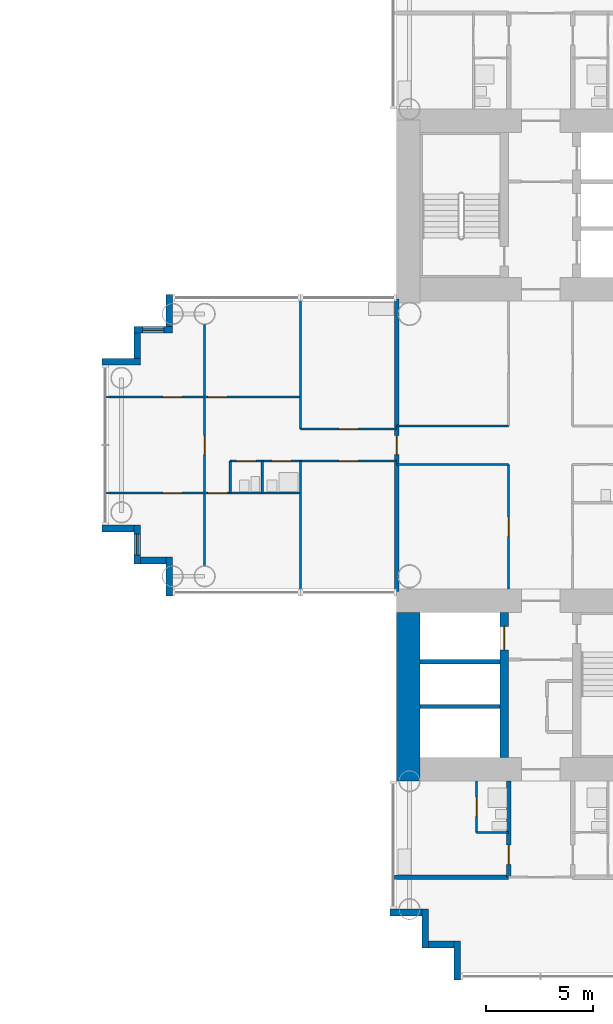
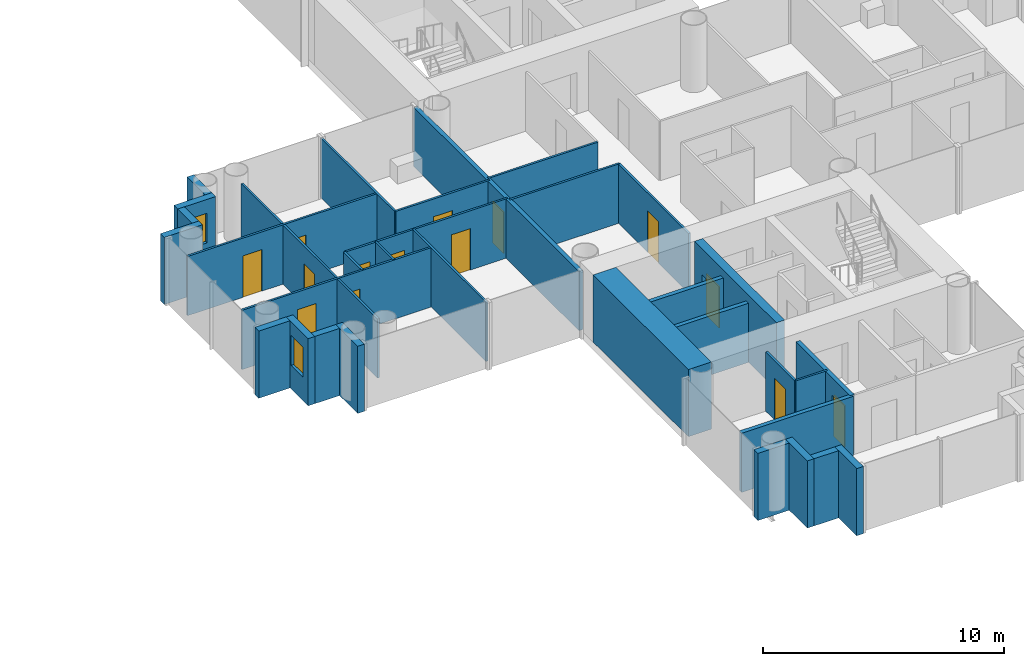
# One storey, part 12 of 21: 33 walls, 14 doors, 2 windows, 16 openings.
"""IFC4 building model written with IfcOpenShell, lengths in metres."""

from ifc_helpers import new_model, si_unit, direction, frame, frame_2d, origin, place, context, subcontext, project, spatial, rectangle, extrude, material, layer, layer_set, type_object, element, fill, save


model = new_model("IFC4")

# Units and contexts
model_context = context("Model", 3, precision=1e-05, world=origin(), true_north=direction((0.0, 1.0)))
body_context = subcontext(model_context, "Body", "Model", "MODEL_VIEW")
ifc_project = project(units=[si_unit("LENGTHUNIT", "METRE"), si_unit("AREAUNIT", "SQUARE_METRE"), si_unit("VOLUMEUNIT", "CUBIC_METRE"), si_unit("PLANEANGLEUNIT", "RADIAN"), si_unit("MASSUNIT", "GRAM", prefix="KILO")], contexts=[model_context])

# Site, building, storey
site_placement = place(None, origin())
site = spatial("IfcSite", under=ifc_project, at=site_placement, CompositionType="ELEMENT")
building_placement = place(site_placement, origin())
building = spatial("IfcBuilding", under=site, at=building_placement, Name="Ipe Terrace Towers", CompositionType="ELEMENT")
storey_placement = place(building_placement, frame((0.0, 0.0, 27.89990234375)))
storey = spatial("IfcBuildingStorey", under=building, at=storey_placement, Name="L06", CompositionType="ELEMENT", Elevation=27.89990234375)

# Wall
ifc_material_1 = material(Name="Concrete C40/50 with buff precast cladding", Category="concrete")
ifc_layer_1 = layer(ifc_material_1, 0.320068359375)
ifc_layer_set_1 = layer_set([ifc_layer_1], Name="BUFF CLADDING WALL 320")
wall_type_1 = type_object("IfcWallType", Name="BUFF CLADDING WALL 320", PredefinedType="STANDARD", material=ifc_layer_set_1)
wall_1_placement = place(storey_placement, frame((18.590087890625, 7.070068359375, -0.2998046875), z_axis=(0.0, 0.0, 1.0), x_axis=(0.0, -1.0, 0.0)))
element("IfcWall", 1, at=wall_1_placement, inside=storey, type_object=wall_type_1, Name="T2-W-L06-34a wall", PredefinedType="STANDARD", context=body_context, shape_type="SweptSolid", body=[
    extrude(rectangle(XDim=1.5, YDim=0.320068359375, at=frame_2d((0.75, 0.0))), origin(), (0.0, 0.0, 1.0), 3.39990234375),
])

# Wall, opening, window
wall_2_placement = place(storey_placement, frame((18.75, 5.409912109375, -0.2998046875), z_axis=(0.0, 0.0, 1.0), x_axis=(-1.0, 0.0, 0.0)))
wall_2 = element("IfcWall", 2, at=wall_2_placement, inside=storey, type_object=wall_type_1, Name="T2-W-L06-35a wall", PredefinedType="STANDARD", context=body_context, shape_type="SweptSolid", body=[
    extrude(rectangle(XDim=1.820068359375, YDim=0.320068359375, at=frame_2d((0.91015625, 0.0))), origin(), (0.0, 0.0, 1.0), 3.39990234375),
])
opening_1_placement = place(wall_2_placement, frame((0.409912109375, 0.0, 1.199951171875)))
opening_1 = element("IfcOpeningElement", 3, at=opening_1_placement, cuts=wall_2, Name="Opening T2-W-05-L06-02", PredefinedType="OPENING", context=body_context, shape_type="SweptSolid", body=[
    extrude(rectangle(XDim=1.0, YDim=1.5, at=frame_2d((0.5, 0.75))), frame((0.0, 0.169921875, 0.0), z_axis=(0.0, -1.0, 0.0), x_axis=(1.0, 0.0, 0.0)), (0.0, 0.0, 1.0), 0.340087890625),
])
ifc_material_2 = material(Name="Glass, clear laminated", Category="glass")
window_type = type_object("IfcWindowType", Name="DWELLING WINDOW 1000 x 1500", PartitioningType="SINGLE_PANEL", PredefinedType="WINDOW", material=ifc_material_2)
window_1_placement = place(opening_1_placement, origin())
window_1 = element("IfcWindow", 4, at=window_1_placement, inside=storey, type_object=window_type, Name="W-05 window", OverallHeight=1.5, OverallWidth=1.0, PartitioningType="SINGLE_PANEL", PredefinedType="WINDOW", context=body_context, shape_type="SweptSolid", body=[
    extrude(rectangle(XDim=1.0, YDim=1.5, at=frame_2d((0.5, 0.75))), frame((0.0, 0.030029296875, 0.0), z_axis=(0.0, -1.0, 0.0), x_axis=(1.0, 0.0, 0.0)), (0.0, 0.0, 1.0), 0.06005859375),
])
fill(opening_1, window_1)

# Walls
wall_3_placement = place(storey_placement, frame((17.090087890625, 5.25, -0.2998046875), z_axis=(0.0, 0.0, 1.0), x_axis=(0.0, -1.0, 0.0)))
element("IfcWall", 5, at=wall_3_placement, inside=storey, type_object=wall_type_1, Name="T2-W-L06-36a wall", PredefinedType="STANDARD", context=body_context, shape_type="SweptSolid", body=[
    extrude(rectangle(XDim=1.179931640625, YDim=0.320068359375, at=frame_2d((0.58984375, 0.0))), origin(), (0.0, 0.0, 1.0), 3.39990234375),
])
wall_4_placement = place(storey_placement, frame((17.25, 3.909912109375, -0.2998046875), z_axis=(0.0, 0.0, 1.0), x_axis=(-1.0, 0.0, 0.0)))
element("IfcWall", 6, at=wall_4_placement, inside=storey, type_object=wall_type_1, Name="T2-W-L06-37a wall", PredefinedType="STANDARD", context=body_context, shape_type="SweptSolid", body=[
    extrude(rectangle(XDim=1.820068359375, YDim=0.320068359375, at=frame_2d((0.91015625, 0.0))), origin(), (0.0, 0.0, 1.0), 3.39990234375),
])
wall_5_placement = place(storey_placement, frame((15.429931640625, -3.909912109375, -0.2998046875), z_axis=(0.0, 0.0, 1.0), x_axis=(1.0, 0.0, 0.0)))
element("IfcWall", 7, at=wall_5_placement, inside=storey, type_object=wall_type_1, Name="T2-W-L06-39a wall", PredefinedType="STANDARD", context=body_context, shape_type="SweptSolid", body=[
    extrude(rectangle(XDim=1.5, YDim=0.320068359375, at=frame_2d((0.75, 0.0))), origin(), (0.0, 0.0, 1.0), 3.39990234375),
])

# Wall, opening, window
wall_6_placement = place(storey_placement, frame((17.090087890625, -3.75, -0.2998046875), z_axis=(0.0, 0.0, 1.0), x_axis=(0.0, -1.0, 0.0)))
wall_6 = element("IfcWall", 8, at=wall_6_placement, inside=storey, type_object=wall_type_1, Name="T2-W-L06-40a wall", PredefinedType="STANDARD", context=body_context, shape_type="SweptSolid", body=[
    extrude(rectangle(XDim=1.820068359375, YDim=0.320068359375, at=frame_2d((0.91015625, 0.0))), origin(), (0.0, 0.0, 1.0), 3.39990234375),
])
opening_2_placement = place(wall_6_placement, frame((0.409912109375, 0.0, 1.199951171875)))
opening_2 = element("IfcOpeningElement", 9, at=opening_2_placement, cuts=wall_6, Name="Opening T2-W-05-L06-01", PredefinedType="OPENING", context=body_context, shape_type="SweptSolid", body=[
    extrude(rectangle(XDim=1.0, YDim=1.5, at=frame_2d((0.5, 0.75))), frame((0.0, 0.169921875, 0.0), z_axis=(0.0, -1.0, 0.0), x_axis=(1.0, 0.0, 0.0)), (0.0, 0.0, 1.0), 0.340087890625),
])
window_2_placement = place(opening_2_placement, origin())
window_2 = element("IfcWindow", 10, at=window_2_placement, inside=storey, type_object=window_type, Name="W-05 window", OverallHeight=1.5, OverallWidth=1.0, PartitioningType="SINGLE_PANEL", PredefinedType="WINDOW", context=body_context, shape_type="SweptSolid", body=[
    extrude(rectangle(XDim=1.0, YDim=1.5, at=frame_2d((0.5, 0.75))), frame((0.0, 0.030029296875, 0.0), z_axis=(0.0, -1.0, 0.0), x_axis=(1.0, 0.0, 0.0)), (0.0, 0.0, 1.0), 0.06005859375),
])
fill(opening_2, window_2)

# Walls
wall_7_placement = place(storey_placement, frame((17.25, -5.409912109375, -0.2998046875), z_axis=(0.0, 0.0, 1.0), x_axis=(1.0, 0.0, 0.0)))
element("IfcWall", 11, at=wall_7_placement, inside=storey, type_object=wall_type_1, Name="T2-W-L06-41a wall", PredefinedType="STANDARD", context=body_context, shape_type="SweptSolid", body=[
    extrude(rectangle(XDim=1.179931640625, YDim=0.320068359375, at=frame_2d((0.58984375, 0.0))), origin(), (0.0, 0.0, 1.0), 3.39990234375),
])
wall_8_placement = place(storey_placement, frame((18.590087890625, -5.25, -0.2998046875), z_axis=(0.0, 0.0, 1.0), x_axis=(0.0, -1.0, 0.0)))
element("IfcWall", 12, at=wall_8_placement, inside=storey, type_object=wall_type_1, Name="T2-W-L06-42a wall", PredefinedType="STANDARD", context=body_context, shape_type="SweptSolid", body=[
    extrude(rectangle(XDim=1.820068359375, YDim=0.320068359375, at=frame_2d((0.91015625, 0.0))), origin(), (0.0, 0.0, 1.0), 3.39990234375),
])
wall_9_placement = place(storey_placement, frame((28.929931640625, -21.909912109375, -0.2998046875), z_axis=(0.0, 0.0, 1.0), x_axis=(1.0, 0.0, 0.0)))
element("IfcWall", 13, at=wall_9_placement, inside=storey, type_object=wall_type_1, Name="T2-W-L06-47a wall", PredefinedType="STANDARD", context=body_context, shape_type="SweptSolid", body=[
    extrude(rectangle(XDim=1.5, YDim=0.320068359375, at=frame_2d((0.75, 0.0))), origin(), (0.0, 0.0, 1.0), 3.39990234375),
])
wall_10_placement = place(storey_placement, frame((30.590087890625, -21.75, -0.2998046875), z_axis=(0.0, 0.0, 1.0), x_axis=(0.0, -1.0, 0.0)))
element("IfcWall", 14, at=wall_10_placement, inside=storey, type_object=wall_type_1, Name="T2-W-L06-48a wall", PredefinedType="STANDARD", context=body_context, shape_type="SweptSolid", body=[
    extrude(rectangle(XDim=1.820068359375, YDim=0.320068359375, at=frame_2d((0.91015625, 0.0))), origin(), (0.0, 0.0, 1.0), 3.39990234375),
])
wall_11_placement = place(storey_placement, frame((30.75, -23.409912109375, -0.2998046875), z_axis=(0.0, 0.0, 1.0), x_axis=(1.0, 0.0, 0.0)))
element("IfcWall", 15, at=wall_11_placement, inside=storey, type_object=wall_type_1, Name="T2-W-L06-49a wall", PredefinedType="STANDARD", context=body_context, shape_type="SweptSolid", body=[
    extrude(rectangle(XDim=1.179931640625, YDim=0.320068359375, at=frame_2d((0.58984375, 0.0))), origin(), (0.0, 0.0, 1.0), 3.39990234375),
])
wall_12_placement = place(storey_placement, frame((32.090087890625, -23.25, -0.2998046875), z_axis=(0.0, 0.0, 1.0), x_axis=(0.0, -1.0, 0.0)))
element("IfcWall", 16, at=wall_12_placement, inside=storey, type_object=wall_type_1, Name="T2-W-L06-50a wall", PredefinedType="STANDARD", context=body_context, shape_type="SweptSolid", body=[
    extrude(rectangle(XDim=1.820068359375, YDim=0.320068359375, at=frame_2d((0.91015625, 0.0))), origin(), (0.0, 0.0, 1.0), 3.39990234375),
])
ifc_material_3 = material(Name="Gypsum board partition", Category="plasterboard")
ifc_layer_2 = layer(ifc_material_3, 0.10009765625)
ifc_layer_set_2 = layer_set([ifc_layer_2], Name="Gypsum board partition 100 mm")
wall_type_2 = type_object("IfcWallType", Name="Gypsum board partition 100 mm", PredefinedType="PARTITIONING", material=ifc_layer_set_2)
wall_13_placement = place(storey_placement, frame((34.5, -18.14990234375, 0.0), z_axis=(0.0, 0.0, 1.0), x_axis=(-1.0, 0.0, 0.0)))
element("IfcWall", 17, at=wall_13_placement, inside=storey, type_object=wall_type_2, Name="Gypsum board partition T2 L06 W05", PredefinedType="PARTITIONING", context=body_context, shape_type="SweptSolid", body=[
    extrude(rectangle(XDim=1.5, YDim=0.10009765625, at=frame_2d((0.75, 0.0))), origin(), (0.0, 0.0, 1.0), 3.0),
])

# Wall, openings, doors
wall_14_placement = place(storey_placement, frame((24.75, -2.25, 0.0), z_axis=(0.0, 0.0, 1.0), x_axis=(-1.0, 0.0, 0.0)))
wall_14 = element("IfcWall", 18, at=wall_14_placement, inside=storey, type_object=wall_type_2, Name="Gypsum board partition T2 L06 W08", PredefinedType="PARTITIONING", context=body_context, shape_type="SweptSolid", body=[
    extrude(rectangle(XDim=9.10009765625, YDim=0.10009765625, at=frame_2d((4.550048828125, 0.0))), origin(), (0.0, 0.0, 1.0), 3.0),
])
opening_3_placement = place(wall_14_placement, frame((3.449951171875, 0.0, 0.0)))
opening_3 = element("IfcOpeningElement", 19, at=opening_3_placement, cuts=wall_14, Name="Opening T2-Z1A-11", PredefinedType="OPENING", context=body_context, shape_type="SweptSolid", body=[
    extrude(rectangle(XDim=0.89990234375, YDim=2.10009765625, at=frame_2d((0.449951171875, 1.050048828125))), frame((0.0, 0.06005859375, 0.0), z_axis=(0.0, -1.0, 0.0), x_axis=(1.0, 0.0, 0.0)), (0.0, 0.0, 1.0), 0.1201171875),
])
opening_4_placement = place(wall_14_placement, frame((5.550048828125, 0.0, 0.0)))
opening_4 = element("IfcOpeningElement", 20, at=opening_4_placement, cuts=wall_14, Name="Opening T2-Z1A-14", PredefinedType="OPENING", context=body_context, shape_type="SweptSolid", body=[
    extrude(rectangle(XDim=0.89990234375, YDim=2.10009765625, at=frame_2d((0.449951171875, 1.050048828125))), frame((0.0, 0.06005859375, 0.0), z_axis=(0.0, -1.0, 0.0), x_axis=(1.0, 0.0, 0.0)), (0.0, 0.0, 1.0), 0.1201171875),
])
ifc_material_4 = material(Name="Timber door leaf", Category="wood")
door_type_1 = type_object("IfcDoorType", Name="Bedroom door 900 x 2100", OperationType="NOTDEFINED", PredefinedType="DOOR", material=ifc_material_4)
door_1_placement = place(opening_3_placement, origin())
door_1 = element("IfcDoor", 21, at=door_1_placement, inside=storey, type_object=door_type_1, Name="Bedroom door T2-Z1A-11", OperationType="SINGLE_SWING_RIGHT", OverallHeight=2.10009765625, OverallWidth=0.89990234375, PredefinedType="DOOR", context=body_context, shape_type="SweptSolid", body=[
    extrude(rectangle(XDim=0.89990234375, YDim=2.10009765625, at=frame_2d((0.449951171875, 1.050048828125))), frame((0.0, 0.02490234375, 0.0), z_axis=(0.0, -1.0, 0.0), x_axis=(1.0, 0.0, 0.0)), (0.0, 0.0, 1.0), 0.050048828125),
])
fill(opening_3, door_1)
door_2_placement = place(opening_4_placement, origin())
door_2 = element("IfcDoor", 22, at=door_2_placement, inside=storey, type_object=door_type_1, Name="Bedroom door T2-Z1A-14", OperationType="SINGLE_SWING_LEFT", OverallHeight=2.10009765625, OverallWidth=0.89990234375, PredefinedType="DOOR", context=body_context, shape_type="SweptSolid", body=[
    extrude(rectangle(XDim=0.89990234375, YDim=2.10009765625, at=frame_2d((0.449951171875, 1.050048828125))), frame((0.0, 0.02490234375, 0.0), z_axis=(0.0, -1.0, 0.0), x_axis=(1.0, 0.0, 0.0)), (0.0, 0.0, 1.0), 0.050048828125),
])
fill(opening_4, door_2)

# Wall
wall_15_placement = place(storey_placement, frame((34.5, -0.89990234375, 0.0), z_axis=(0.0, 0.0, 1.0), x_axis=(-1.0, 0.0, 0.0)))
element("IfcWall", 23, at=wall_15_placement, inside=storey, type_object=wall_type_2, Name="Gypsum board partition T2 L06 W12", PredefinedType="PARTITIONING", context=body_context, shape_type="SweptSolid", body=[
    extrude(rectangle(XDim=5.25, YDim=0.10009765625, at=frame_2d((2.625, 0.0))), origin(), (0.0, 0.0, 1.0), 3.0),
])

# Wall, openings, doors
wall_16_placement = place(storey_placement, frame((29.25, -0.75, 0.0), z_axis=(0.0, 0.0, 1.0), x_axis=(-1.0, 0.0, 0.0)))
wall_16 = element("IfcWall", 24, at=wall_16_placement, inside=storey, type_object=wall_type_2, Name="Gypsum board partition T2 L06 W13", PredefinedType="PARTITIONING", context=body_context, shape_type="SweptSolid", body=[
    extrude(rectangle(XDim=7.800048828125, YDim=0.10009765625, at=frame_2d((3.89990234375, 0.0))), origin(), (0.0, 0.0, 1.0), 3.0),
])
opening_5_placement = place(wall_16_placement, frame((1.800048828125, 0.0, 0.0)))
opening_5 = element("IfcOpeningElement", 25, at=opening_5_placement, cuts=wall_16, Name="Opening T2-Z1A-06", PredefinedType="OPENING", context=body_context, shape_type="SweptSolid", body=[
    extrude(rectangle(XDim=0.89990234375, YDim=2.10009765625, at=frame_2d((0.449951171875, 1.050048828125))), frame((0.0, 0.06005859375, 0.0), z_axis=(0.0, -1.0, 0.0), x_axis=(1.0, 0.0, 0.0)), (0.0, 0.0, 1.0), 0.1201171875),
])
opening_6_placement = place(wall_16_placement, frame((4.949951171875, 0.0, 0.0)))
opening_6 = element("IfcOpeningElement", 26, at=opening_6_placement, cuts=wall_16, Name="Opening T2-Z1A-09", PredefinedType="OPENING", context=body_context, shape_type="SweptSolid", body=[
    extrude(rectangle(XDim=0.89990234375, YDim=2.10009765625, at=frame_2d((0.449951171875, 1.050048828125))), frame((0.0, 0.06005859375, 0.0), z_axis=(0.0, -1.0, 0.0), x_axis=(1.0, 0.0, 0.0)), (0.0, 0.0, 1.0), 0.1201171875),
])
opening_7_placement = place(wall_16_placement, frame((6.60009765625, 0.0, 0.0)))
opening_7 = element("IfcOpeningElement", 27, at=opening_7_placement, cuts=wall_16, Name="Opening T2-Z1A-10", PredefinedType="OPENING", context=body_context, shape_type="SweptSolid", body=[
    extrude(rectangle(XDim=0.89990234375, YDim=2.10009765625, at=frame_2d((0.449951171875, 1.050048828125))), frame((0.0, 0.06005859375, 0.0), z_axis=(0.0, -1.0, 0.0), x_axis=(1.0, 0.0, 0.0)), (0.0, 0.0, 1.0), 0.1201171875),
])
ifc_material_5 = material(Name="Timber door leaf", Category="wood")
door_type_2 = type_object("IfcDoorType", Name="Bathroom door 900 x 2100", OperationType="NOTDEFINED", PredefinedType="DOOR", material=ifc_material_5)
door_3_placement = place(opening_6_placement, origin())
door_3 = element("IfcDoor", 28, at=door_3_placement, inside=storey, type_object=door_type_2, Name="Bathroom door T2-Z1A-09", OperationType="SINGLE_SWING_LEFT", OverallHeight=2.10009765625, OverallWidth=0.89990234375, PredefinedType="DOOR", context=body_context, shape_type="SweptSolid", body=[
    extrude(rectangle(XDim=0.89990234375, YDim=2.10009765625, at=frame_2d((0.449951171875, 1.050048828125))), frame((0.0, 0.02490234375, 0.0), z_axis=(0.0, -1.0, 0.0), x_axis=(1.0, 0.0, 0.0)), (0.0, 0.0, 1.0), 0.050048828125),
])
fill(opening_6, door_3)
door_4_placement = place(opening_7_placement, origin())
door_4 = element("IfcDoor", 29, at=door_4_placement, inside=storey, type_object=door_type_2, Name="Bathroom door T2-Z1A-10", OperationType="SINGLE_SWING_LEFT", OverallHeight=2.10009765625, OverallWidth=0.89990234375, PredefinedType="DOOR", context=body_context, shape_type="SweptSolid", body=[
    extrude(rectangle(XDim=0.89990234375, YDim=2.10009765625, at=frame_2d((0.449951171875, 1.050048828125))), frame((0.0, 0.02490234375, 0.0), z_axis=(0.0, -1.0, 0.0), x_axis=(1.0, 0.0, 0.0)), (0.0, 0.0, 1.0), 0.050048828125),
])
fill(opening_7, door_4)
ifc_material_6 = material(Name="Timber door leaf", Category="wood")
door_type_3 = type_object("IfcDoorType", Name="Lounge door 900 x 2100", OperationType="NOTDEFINED", PredefinedType="DOOR", material=ifc_material_6)
door_5_placement = place(opening_5_placement, origin())
door_5 = element("IfcDoor", 30, at=door_5_placement, inside=storey, type_object=door_type_3, Name="Lounge door T2-Z1A-06", OperationType="SINGLE_SWING_RIGHT", OverallHeight=2.10009765625, OverallWidth=0.89990234375, PredefinedType="DOOR", context=body_context, shape_type="SweptSolid", body=[
    extrude(rectangle(XDim=0.89990234375, YDim=2.10009765625, at=frame_2d((0.449951171875, 1.050048828125))), frame((0.0, 0.02490234375, 0.0), z_axis=(0.0, -1.0, 0.0), x_axis=(1.0, 0.0, 0.0)), (0.0, 0.0, 1.0), 0.050048828125),
])
fill(opening_5, door_5)

# Wall, opening, door
wall_17_placement = place(storey_placement, frame((29.25, 0.75, 0.0), z_axis=(0.0, 0.0, 1.0), x_axis=(-1.0, 0.0, 0.0)))
wall_17 = element("IfcWall", 31, at=wall_17_placement, inside=storey, type_object=wall_type_2, Name="Gypsum board partition T2 L06 W15", PredefinedType="PARTITIONING", context=body_context, shape_type="SweptSolid", body=[
    extrude(rectangle(XDim=4.5, YDim=0.10009765625, at=frame_2d((2.25, 0.0))), origin(), (0.0, 0.0, 1.0), 3.0),
])
opening_8_placement = place(wall_17_placement, frame((1.800048828125, 0.0, 0.0)))
opening_8 = element("IfcOpeningElement", 32, at=opening_8_placement, cuts=wall_17, Name="Opening T2-Z1A-07", PredefinedType="OPENING", context=body_context, shape_type="SweptSolid", body=[
    extrude(rectangle(XDim=0.89990234375, YDim=2.10009765625, at=frame_2d((0.449951171875, 1.050048828125))), frame((0.0, 0.06005859375, 0.0), z_axis=(0.0, -1.0, 0.0), x_axis=(1.0, 0.0, 0.0)), (0.0, 0.0, 1.0), 0.1201171875),
])
door_6_placement = place(opening_8_placement, origin())
door_6 = element("IfcDoor", 33, at=door_6_placement, inside=storey, type_object=door_type_3, Name="Lounge door T2-Z1A-07", OperationType="SINGLE_SWING_RIGHT", OverallHeight=2.10009765625, OverallWidth=0.89990234375, PredefinedType="DOOR", context=body_context, shape_type="SweptSolid", body=[
    extrude(rectangle(XDim=0.89990234375, YDim=2.10009765625, at=frame_2d((0.449951171875, 1.050048828125))), frame((0.0, 0.02490234375, 0.0), z_axis=(0.0, -1.0, 0.0), x_axis=(1.0, 0.0, 0.0)), (0.0, 0.0, 1.0), 0.050048828125),
])
fill(opening_8, door_6)

# Wall
wall_18_placement = place(storey_placement, frame((34.5, 0.89990234375, 0.0), z_axis=(0.0, 0.0, 1.0), x_axis=(-1.0, 0.0, 0.0)))
element("IfcWall", 34, at=wall_18_placement, inside=storey, type_object=wall_type_2, Name="Gypsum board partition T2 L06 W17", PredefinedType="PARTITIONING", context=body_context, shape_type="SweptSolid", body=[
    extrude(rectangle(XDim=5.25, YDim=0.10009765625, at=frame_2d((2.625, 0.0))), origin(), (0.0, 0.0, 1.0), 3.0),
])

# Wall, openings, doors
wall_19_placement = place(storey_placement, frame((24.75, 2.25, 0.0), z_axis=(0.0, 0.0, 1.0), x_axis=(-1.0, 0.0, 0.0)))
wall_19 = element("IfcWall", 35, at=wall_19_placement, inside=storey, type_object=wall_type_2, Name="Gypsum board partition T2 L06 W18", PredefinedType="PARTITIONING", context=body_context, shape_type="SweptSolid", body=[
    extrude(rectangle(XDim=9.10009765625, YDim=0.10009765625, at=frame_2d((4.550048828125, 0.0))), origin(), (0.0, 0.0, 1.0), 3.0),
])
opening_9_placement = place(wall_19_placement, frame((3.449951171875, 0.0, 0.0)))
opening_9 = element("IfcOpeningElement", 36, at=opening_9_placement, cuts=wall_19, Name="Opening T2-Z1A-12", PredefinedType="OPENING", context=body_context, shape_type="SweptSolid", body=[
    extrude(rectangle(XDim=0.89990234375, YDim=2.10009765625, at=frame_2d((0.449951171875, 1.050048828125))), frame((0.0, 0.06005859375, 0.0), z_axis=(0.0, -1.0, 0.0), x_axis=(1.0, 0.0, 0.0)), (0.0, 0.0, 1.0), 0.1201171875),
])
opening_10_placement = place(wall_19_placement, frame((5.550048828125, 0.0, 0.0)))
opening_10 = element("IfcOpeningElement", 37, at=opening_10_placement, cuts=wall_19, Name="Opening T2-Z1A-15", PredefinedType="OPENING", context=body_context, shape_type="SweptSolid", body=[
    extrude(rectangle(XDim=0.89990234375, YDim=2.10009765625, at=frame_2d((0.449951171875, 1.050048828125))), frame((0.0, 0.06005859375, 0.0), z_axis=(0.0, -1.0, 0.0), x_axis=(1.0, 0.0, 0.0)), (0.0, 0.0, 1.0), 0.1201171875),
])
door_7_placement = place(opening_9_placement, origin())
door_7 = element("IfcDoor", 38, at=door_7_placement, inside=storey, type_object=door_type_1, Name="Bedroom door T2-Z1A-12", OperationType="SINGLE_SWING_LEFT", OverallHeight=2.10009765625, OverallWidth=0.89990234375, PredefinedType="DOOR", context=body_context, shape_type="SweptSolid", body=[
    extrude(rectangle(XDim=0.89990234375, YDim=2.10009765625, at=frame_2d((0.449951171875, 1.050048828125))), frame((0.0, 0.02490234375, 0.0), z_axis=(0.0, -1.0, 0.0), x_axis=(1.0, 0.0, 0.0)), (0.0, 0.0, 1.0), 0.050048828125),
])
fill(opening_9, door_7)
door_8_placement = place(opening_10_placement, origin())
door_8 = element("IfcDoor", 39, at=door_8_placement, inside=storey, type_object=door_type_1, Name="Bedroom door T2-Z1A-15", OperationType="SINGLE_SWING_RIGHT", OverallHeight=2.10009765625, OverallWidth=0.89990234375, PredefinedType="DOOR", context=body_context, shape_type="SweptSolid", body=[
    extrude(rectangle(XDim=0.89990234375, YDim=2.10009765625, at=frame_2d((0.449951171875, 1.050048828125))), frame((0.0, 0.02490234375, 0.0), z_axis=(0.0, -1.0, 0.0), x_axis=(1.0, 0.0, 0.0)), (0.0, 0.0, 1.0), 0.050048828125),
])
fill(opening_10, door_8)

# Wall, opening, door
wall_20_placement = place(storey_placement, frame((34.5, -6.75, 0.0), z_axis=(0.0, 0.0, 1.0), x_axis=(0.0, 1.0, 0.0)))
wall_20 = element("IfcWall", 40, at=wall_20_placement, inside=storey, type_object=wall_type_2, Name="Gypsum board partition T2 L06 W39", PredefinedType="PARTITIONING", context=body_context, shape_type="SweptSolid", body=[
    extrude(rectangle(XDim=5.85009765625, YDim=0.10009765625, at=frame_2d((2.925048828125, 0.0))), origin(), (0.0, 0.0, 1.0), 3.0),
])
opening_11_placement = place(wall_20_placement, frame((2.47509765625, 0.0, 0.0)))
opening_11 = element("IfcOpeningElement", 41, at=opening_11_placement, cuts=wall_20, Name="Opening T2-Z1A-03", PredefinedType="OPENING", context=body_context, shape_type="SweptSolid", body=[
    extrude(rectangle(XDim=0.89990234375, YDim=2.10009765625, at=frame_2d((0.449951171875, 1.050048828125))), frame((0.0, 0.06005859375, 0.0), z_axis=(0.0, -1.0, 0.0), x_axis=(1.0, 0.0, 0.0)), (0.0, 0.0, 1.0), 0.1201171875),
])
door_9_placement = place(opening_11_placement, origin())
door_9 = element("IfcDoor", 42, at=door_9_placement, inside=storey, type_object=door_type_3, Name="Lounge door T2-Z1A-03", OperationType="SINGLE_SWING_RIGHT", OverallHeight=2.10009765625, OverallWidth=0.89990234375, PredefinedType="DOOR", context=body_context, shape_type="SweptSolid", body=[
    extrude(rectangle(XDim=0.89990234375, YDim=2.10009765625, at=frame_2d((0.449951171875, 1.050048828125))), frame((0.0, 0.02490234375, 0.0), z_axis=(0.0, -1.0, 0.0), x_axis=(1.0, 0.0, 0.0)), (0.0, 0.0, 1.0), 0.050048828125),
])
fill(opening_11, door_9)

wall_21_placement = place(storey_placement, frame((33.0, -18.14990234375, 0.0), z_axis=(0.0, 0.0, 1.0), x_axis=(0.0, 1.0, 0.0)))
wall_21 = element("IfcWall", 43, at=wall_21_placement, inside=storey, type_object=wall_type_2, Name="Gypsum board partition T2 L06 W43", PredefinedType="PARTITIONING", context=body_context, shape_type="SweptSolid", body=[
    extrude(rectangle(XDim=2.39990234375, YDim=0.10009765625, at=frame_2d((1.199951171875, 0.0))), origin(), (0.0, 0.0, 1.0), 3.0),
])
opening_12_placement = place(wall_21_placement, frame((0.75, 0.0, 0.0)))
opening_12 = element("IfcOpeningElement", 44, at=opening_12_placement, cuts=wall_21, Name="Opening T2-Z1A-33", PredefinedType="OPENING", context=body_context, shape_type="SweptSolid", body=[
    extrude(rectangle(XDim=0.89990234375, YDim=2.10009765625, at=frame_2d((0.449951171875, 1.050048828125))), frame((0.0, 0.06005859375, 0.0), z_axis=(0.0, -1.0, 0.0), x_axis=(1.0, 0.0, 0.0)), (0.0, 0.0, 1.0), 0.1201171875),
])
door_10_placement = place(opening_12_placement, origin())
door_10 = element("IfcDoor", 45, at=door_10_placement, inside=storey, type_object=door_type_2, Name="Bathroom door T2-Z1A-33", OperationType="SINGLE_SWING_RIGHT", OverallHeight=2.10009765625, OverallWidth=0.89990234375, PredefinedType="DOOR", context=body_context, shape_type="SweptSolid", body=[
    extrude(rectangle(XDim=0.89990234375, YDim=2.10009765625, at=frame_2d((0.449951171875, 1.050048828125))), frame((0.0, 0.02490234375, 0.0), z_axis=(0.0, -1.0, 0.0), x_axis=(1.0, 0.0, 0.0)), (0.0, 0.0, 1.0), 0.050048828125),
])
fill(opening_12, door_10)

# Walls
for number, where, z_axis, x_axis, name in (
    (46, (24.75, -6.85009765625, 0.0), (0.0, 0.0, 1.0), (0.0, 1.0, 0.0), "Gypsum board partition T2 L06 W46"),
    (47, (24.75, 0.75, 0.0), (0.0, 0.0, 1.0), (0.0, 1.0, 0.0), "Gypsum board partition T2 L06 W47"),
):
    element("IfcWall", number, at=place(storey_placement, frame(where, z_axis=z_axis, x_axis=x_axis)), inside=storey, type_object=wall_type_2, Name=name, PredefinedType="PARTITIONING", context=body_context, shape_type="SweptSolid", body=[
        extrude(rectangle(XDim=6.10009765625, YDim=0.10009765625, at=frame_2d((3.050048828125, 0.0))), origin(), (0.0, 0.0, 1.0), 3.0),
    ])
for number, where, z_axis, x_axis, name in (
    (48, (22.949951171875, -2.25, 0.0), (0.0, 0.0, 1.0), (0.0, 1.0, 0.0), "Gypsum board partition T2 L06 W48"),
    (49, (21.449951171875, -2.25, 0.0), (0.0, 0.0, 1.0), (0.0, 1.0, 0.0), "Gypsum board partition T2 L06 W49"),
):
    element("IfcWall", number, at=place(storey_placement, frame(where, z_axis=z_axis, x_axis=x_axis)), inside=storey, type_object=wall_type_2, Name=name, PredefinedType="PARTITIONING", context=body_context, shape_type="SweptSolid", body=[
        extrude(rectangle(XDim=1.5, YDim=0.10009765625, at=frame_2d((0.75, 0.0))), origin(), (0.0, 0.0, 1.0), 3.0),
    ])

# Wall, opening, door
wall_22_placement = place(storey_placement, frame((20.25, -5.64990234375, 0.0), z_axis=(0.0, 0.0, 1.0), x_axis=(0.0, 1.0, 0.0)))
wall_22 = element("IfcWall", 50, at=wall_22_placement, inside=storey, type_object=wall_type_2, Name="Gypsum board partition T2 L06 W50", PredefinedType="PARTITIONING", context=body_context, shape_type="SweptSolid", body=[
    extrude(rectangle(XDim=11.2998046875, YDim=0.10009765625, at=frame_2d((5.64990234375, 0.0))), origin(), (0.0, 0.0, 1.0), 3.0),
])
opening_13_placement = place(wall_22_placement, frame((5.199951171875, 0.0, 0.0)))
opening_13 = element("IfcOpeningElement", 51, at=opening_13_placement, cuts=wall_22, Name="Opening T2-Z1A-13", PredefinedType="OPENING", context=body_context, shape_type="SweptSolid", body=[
    extrude(rectangle(XDim=0.89990234375, YDim=2.10009765625, at=frame_2d((0.449951171875, 1.050048828125))), frame((0.0, 0.06005859375, 0.0), z_axis=(0.0, -1.0, 0.0), x_axis=(1.0, 0.0, 0.0)), (0.0, 0.0, 1.0), 0.1201171875),
])
door_11_placement = place(opening_13_placement, origin())
door_11 = element("IfcDoor", 52, at=door_11_placement, inside=storey, type_object=door_type_3, Name="Lounge door T2-Z1A-13", OperationType="SINGLE_SWING_LEFT", OverallHeight=2.10009765625, OverallWidth=0.89990234375, PredefinedType="DOOR", context=body_context, shape_type="SweptSolid", body=[
    extrude(rectangle(XDim=0.89990234375, YDim=2.10009765625, at=frame_2d((0.449951171875, 1.050048828125))), frame((0.0, 0.02490234375, 0.0), z_axis=(0.0, -1.0, 0.0), x_axis=(1.0, 0.0, 0.0)), (0.0, 0.0, 1.0), 0.050048828125),
])
fill(opening_13, door_11)

# Walls
ifc_material_7 = material(Name="Gypsum board party wall", Category="plasterboard")
ifc_layer_3 = layer(ifc_material_7, 0.199951171875)
ifc_layer_set_3 = layer_set([ifc_layer_3], Name="Gypsum board party wall 200 mm")
wall_type_3 = type_object("IfcWallType", Name="Gypsum board party wall 200 mm", PredefinedType="SOLIDWALL", material=ifc_layer_set_3)
for number, where, z_axis, x_axis, name in (
    (53, (30.35009765625, -10.14990234375, 0.0), (0.0, 0.0, 1.0), (1.0, 0.0, 0.0), "Gypsum board party wall T2 L06 t2c2-shaft-div1"),
    (54, (30.35009765625, -12.25, 0.0), (0.0, 0.0, 1.0), (1.0, 0.0, 0.0), "Gypsum board party wall T2 L06 t2c2-shaft-div2"),
):
    element("IfcWall", number, at=place(storey_placement, frame(where, z_axis=z_axis, x_axis=x_axis)), inside=storey, type_object=wall_type_3, Name=name, PredefinedType="SOLIDWALL", context=body_context, shape_type="SweptSolid", body=[
        extrude(rectangle(XDim=3.75, YDim=0.199951171875, at=frame_2d((1.875, 0.0))), origin(), (0.0, 0.0, 1.0), 3.0),
    ])
wall_23_placement = place(storey_placement, frame((34.5, -20.25, 0.0), z_axis=(0.0, 0.0, 1.0), x_axis=(-1.0, 0.0, 0.0)))
element("IfcWall", 55, at=wall_23_placement, inside=storey, type_object=wall_type_3, Name="Gypsum board party wall T2 L06 W03", PredefinedType="SOLIDWALL", context=body_context, shape_type="SweptSolid", body=[
    extrude(rectangle(XDim=5.35009765625, YDim=0.199951171875, at=frame_2d((2.675048828125, 0.0))), origin(), (0.0, 0.0, 1.0), 3.0),
])

# Wall, opening, door
wall_24_placement = place(storey_placement, frame((34.5, -20.25, 0.0), z_axis=(0.0, 0.0, 1.0), x_axis=(0.0, 1.0, 0.0)))
wall_24 = element("IfcWall", 56, at=wall_24_placement, inside=storey, type_object=wall_type_3, Name="Gypsum board party wall T2 L06 W41", PredefinedType="SOLIDWALL", context=body_context, shape_type="SweptSolid", body=[
    extrude(rectangle(XDim=4.5, YDim=0.199951171875, at=frame_2d((2.25, 0.0))), origin(), (0.0, 0.0, 1.0), 3.0),
])
opening_14_placement = place(wall_24_placement, frame((0.60009765625, 0.0, 0.0)))
opening_14 = element("IfcOpeningElement", 57, at=opening_14_placement, cuts=wall_24, Name="Opening T2-Z1A-32", PredefinedType="OPENING", context=body_context, shape_type="SweptSolid", body=[
    extrude(rectangle(XDim=0.89990234375, YDim=2.10009765625, at=frame_2d((0.449951171875, 1.050048828125))), frame((0.0, 0.10986328125, 0.0), z_axis=(0.0, -1.0, 0.0), x_axis=(1.0, 0.0, 0.0)), (0.0, 0.0, 1.0), 0.219970703125),
])
ifc_material_8 = material(Name="Fire-rated timber door leaf", Category="wood")
door_type_4 = type_object("IfcDoorType", Name="Flat entrance door 900 x 2100 FD30S", OperationType="NOTDEFINED", PredefinedType="DOOR", material=ifc_material_8)
door_12_placement = place(opening_14_placement, origin())
door_12 = element("IfcDoor", 58, at=door_12_placement, inside=storey, type_object=door_type_4, Name="Flat entrance door T2-Z1A-32", OperationType="SINGLE_SWING_RIGHT", OverallHeight=2.10009765625, OverallWidth=0.89990234375, PredefinedType="DOOR", context=body_context, shape_type="SweptSolid", body=[
    extrude(rectangle(XDim=0.89990234375, YDim=2.10009765625, at=frame_2d((0.449951171875, 1.050048828125))), frame((0.0, 0.02490234375, 0.0), z_axis=(0.0, -1.0, 0.0), x_axis=(1.0, 0.0, 0.0)), (0.0, 0.0, 1.0), 0.050048828125),
])
fill(opening_14, door_12)

wall_25_placement = place(storey_placement, frame((29.25, -6.85009765625, 0.0), z_axis=(0.0, 0.0, 1.0), x_axis=(0.0, 1.0, 0.0)))
wall_25 = element("IfcWall", 59, at=wall_25_placement, inside=storey, type_object=wall_type_3, Name="Gypsum board party wall T2 L06 W45", PredefinedType="SOLIDWALL", context=body_context, shape_type="SweptSolid", body=[
    extrude(rectangle(XDim=13.7001953125, YDim=0.199951171875, at=frame_2d((6.85009765625, 0.0))), origin(), (0.0, 0.0, 1.0), 3.0),
])
opening_15_placement = place(wall_25_placement, frame((6.39990234375, 0.0, 0.0)))
opening_15 = element("IfcOpeningElement", 60, at=opening_15_placement, cuts=wall_25, Name="Opening T2-Z1A-08", PredefinedType="OPENING", context=body_context, shape_type="SweptSolid", body=[
    extrude(rectangle(XDim=0.89990234375, YDim=2.10009765625, at=frame_2d((0.449951171875, 1.050048828125))), frame((0.0, 0.10986328125, 0.0), z_axis=(0.0, -1.0, 0.0), x_axis=(1.0, 0.0, 0.0)), (0.0, 0.0, 1.0), 0.219970703125),
])
door_13_placement = place(opening_15_placement, origin())
door_13 = element("IfcDoor", 61, at=door_13_placement, inside=storey, type_object=door_type_4, Name="Flat entrance door T2-Z1A-08", OperationType="SINGLE_SWING_LEFT", OverallHeight=2.10009765625, OverallWidth=0.89990234375, PredefinedType="DOOR", context=body_context, shape_type="SweptSolid", body=[
    extrude(rectangle(XDim=0.89990234375, YDim=2.10009765625, at=frame_2d((0.449951171875, 1.050048828125))), frame((0.0, 0.02490234375, 0.0), z_axis=(0.0, -1.0, 0.0), x_axis=(1.0, 0.0, 0.0)), (0.0, 0.0, 1.0), 0.050048828125),
])
fill(opening_15, door_13)

# Wall
ifc_material_9 = material(Name="Concrete C60/75", Category="concrete")
ifc_layer_4 = layer(ifc_material_9, 1.10009765625)
ifc_layer_set_4 = layer_set([ifc_layer_4], Name="RW1100 CORE WALL 1100 C60-75")
wall_type_4 = type_object("IfcWallType", Name="RW1100 CORE WALL 1100 C60-75", PredefinedType="SHEAR", material=ifc_layer_set_4)
wall_26_placement = place(storey_placement, frame((29.800048828125, -7.85009765625, 0.0), z_axis=(0.0, 0.0, 1.0), x_axis=(0.0, -1.0, 0.0)))
element("IfcWall", 62, at=wall_26_placement, inside=storey, type_object=wall_type_4, Name="Core wall T2-C2-Z1-W04", PredefinedType="SHEAR", context=body_context, shape_type="SweptSolid", body=[
    extrude(rectangle(XDim=7.89990234375, YDim=1.10009765625, at=frame_2d((3.949951171875, 0.0))), origin(), (0.0, 0.0, 1.0), 3.400146484375),
])

# Wall, opening, door
ifc_material_10 = material(Name="Concrete C60/75", Category="concrete")
ifc_layer_5 = layer(ifc_material_10, 0.39990234375)
ifc_layer_set_5 = layer_set([ifc_layer_5], Name="RW400 CORE SPINE WALL 400 C60-75")
wall_type_5 = type_object("IfcWallType", Name="RW400 CORE SPINE WALL 400 C60-75", PredefinedType="SHEAR", material=ifc_layer_set_5)
wall_27_placement = place(storey_placement, frame((34.300048828125, -14.64990234375, 0.0), z_axis=(0.0, 0.0, 1.0), x_axis=(0.0, 1.0, 0.0)))
wall_27 = element("IfcWall", 63, at=wall_27_placement, inside=storey, type_object=wall_type_5, Name="Core spine wall T2-C2-Z1-SW1", PredefinedType="SHEAR", context=body_context, shape_type="SweptSolid", body=[
    extrude(rectangle(XDim=6.7998046875, YDim=0.39990234375, at=frame_2d((3.39990234375, 0.0))), origin(), (0.0, 0.0, 1.0), 3.400146484375),
])
opening_16_placement = place(wall_27_placement, frame((5.050048828125, 0.0, 0.0)))
opening_16 = element("IfcOpeningElement", 64, at=opening_16_placement, cuts=wall_27, Name="Opening T2C2-LD1", PredefinedType="OPENING", context=body_context, shape_type="SweptSolid", body=[
    extrude(rectangle(XDim=1.10009765625, YDim=2.10009765625, at=frame_2d((0.550048828125, 1.050048828125))), frame((0.0, 0.2099609375, 0.0), z_axis=(0.0, -1.0, 0.0), x_axis=(1.0, 0.0, 0.0)), (0.0, 0.0, 1.0), 0.419921875),
])
ifc_material_11 = material(Name="Fire-rated timber door leaf", Category="wood")
door_type_5 = type_object("IfcDoorType", Name="Sliding door 1100 x 2100 FD60", OperationType="SLIDING_TO_LEFT", PredefinedType="DOOR", material=ifc_material_11)
door_14_placement = place(opening_16_placement, origin())
door_14 = element("IfcDoor", 65, at=door_14_placement, inside=storey, type_object=door_type_5, Name="Sliding door T2C2-LD1", OperationType="SLIDING_TO_LEFT", OverallHeight=2.10009765625, OverallWidth=1.10009765625, PredefinedType="DOOR", context=body_context, shape_type="SweptSolid", body=[
    extrude(rectangle(XDim=1.10009765625, YDim=2.10009765625, at=frame_2d((0.550048828125, 1.050048828125))), frame((0.0, 0.02490234375, 0.0), z_axis=(0.0, -1.0, 0.0), x_axis=(1.0, 0.0, 0.0)), (0.0, 0.0, 1.0), 0.050048828125),
])
fill(opening_16, door_14)

save(model, "model.ifc")
